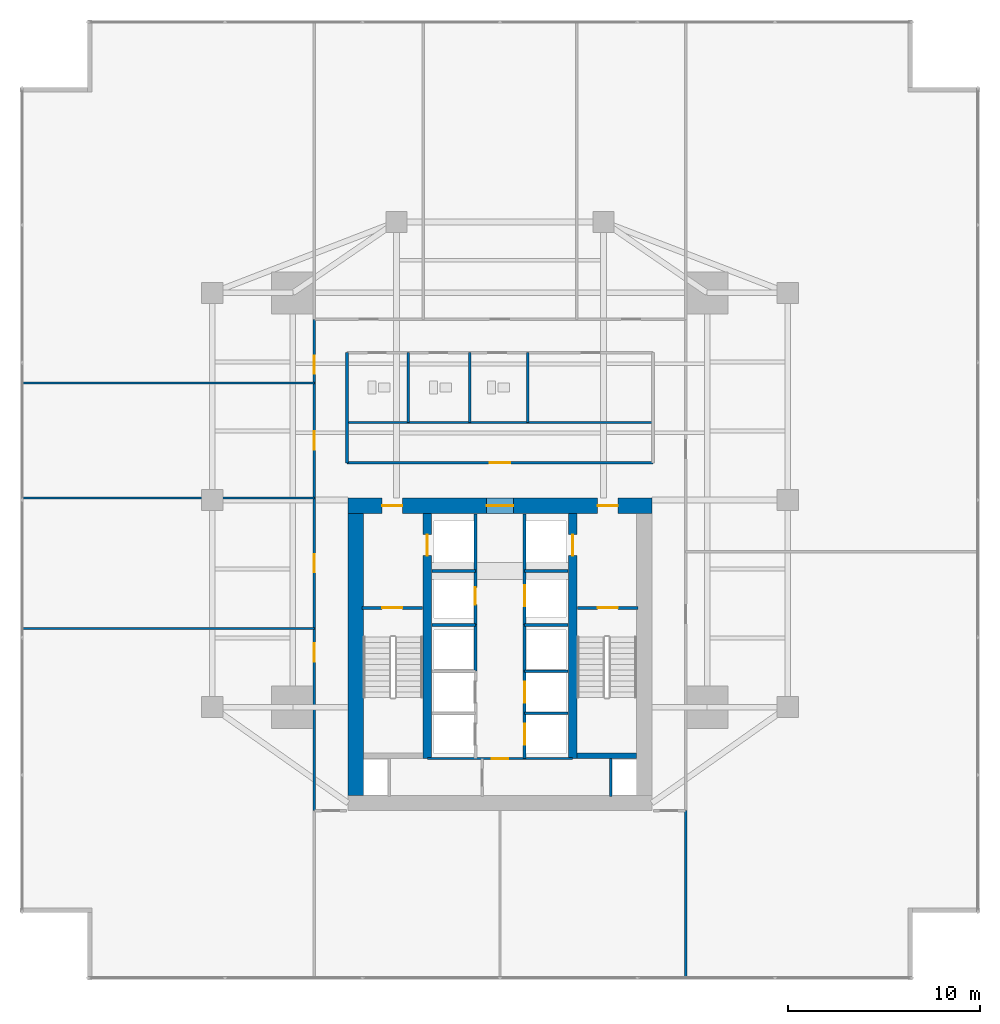
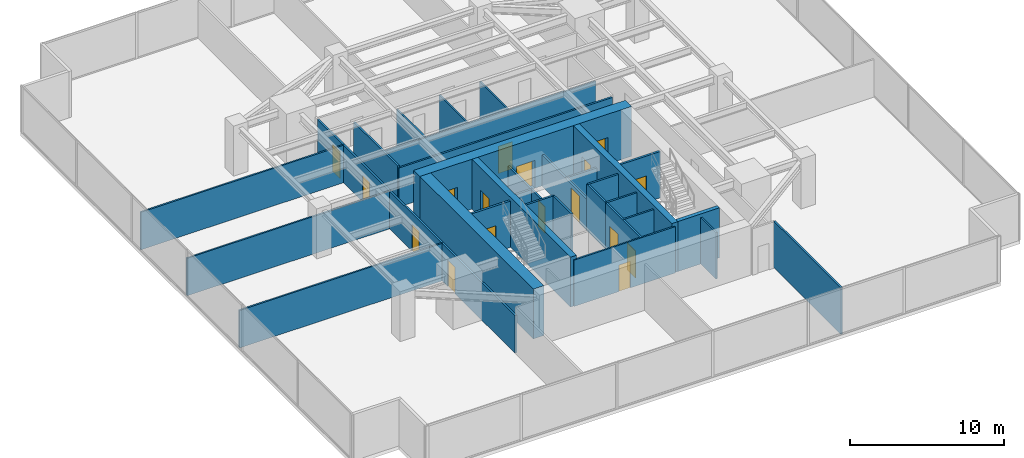
# One storey, part 25 of 28: 31 walls, 17 doors, 17 openings.
"""IFC4 building model written with IfcOpenShell, lengths in metres."""

from ifc_helpers import new_model, si_unit, direction, frame, frame_2d, origin, place, context, subcontext, project, spatial, rectangle, extrude, material, layer, layer_set, type_object, element, fill, save


model = new_model("IFC4")

# Units and contexts
model_context = context("Model", 3, precision=1e-05, world=origin(), true_north=direction((0.0, 1.0)))
body_context = subcontext(model_context, "Body", "Model", "MODEL_VIEW")
ifc_project = project(units=[si_unit("LENGTHUNIT", "METRE"), si_unit("AREAUNIT", "SQUARE_METRE"), si_unit("VOLUMEUNIT", "CUBIC_METRE"), si_unit("PLANEANGLEUNIT", "RADIAN"), si_unit("MASSUNIT", "GRAM", prefix="KILO")], contexts=[model_context])

# Site, building, storey
site_placement = place(None, origin())
site = spatial("IfcSite", under=ifc_project, at=site_placement, CompositionType="ELEMENT")
building_placement = place(site_placement, origin())
building = spatial("IfcBuilding", under=site, at=building_placement, Name="Krantzveldt Concourse Tower", CompositionType="ELEMENT")
storey_placement = place(building_placement, frame((0.0, 0.0, 32.89990234375)))
storey = spatial("IfcBuildingStorey", under=building, at=storey_placement, Name="L07", CompositionType="ELEMENT", Elevation=32.89990234375)

# Wall, opening, door
ifc_material_1 = material(Name="Fire-rated gypsum plasterboard on steel stud", Category="steel")
ifc_layer_1 = layer(ifc_material_1, 0.1201171875, Name="Fire-rated gypsum plasterboard on steel stud", Category="steel")
ifc_layer_set_1 = layer_set([ifc_layer_1], Name="Fire-rated gypsum plasterboard on steel stud (WL-PART-120)")
wall_type_1 = type_object("IfcWallType", Name="WL-PART-120", PredefinedType="PARTITIONING", material=ifc_layer_set_1)
wall_1_placement = place(storey_placement, frame((32.2099609375, 13.219970703125, 0.0), z_axis=(0.0, 0.0, 1.0), x_axis=(1.0, 0.0, 0.0)))
wall_1 = element("IfcWall", 1, at=wall_1_placement, inside=storey, type_object=wall_type_1, Name="WP-L07-CS2H", PredefinedType="PARTITIONING", context=body_context, shape_type="SweptSolid", body=[
    extrude(rectangle(XDim=7.580078125, YDim=0.1201171875, at=frame_2d((3.7900390625, 0.0))), origin(), (0.0, 0.0, 1.0), 3.670166015625),
])
opening_1_placement = place(wall_1_placement, frame((3.364990234375, 0.0, 0.0)))
opening_1 = element("IfcOpeningElement", 2, at=opening_1_placement, cuts=wall_1, Name="Opening D-IN085", PredefinedType="OPENING", context=body_context, shape_type="SweptSolid", body=[
    extrude(rectangle(XDim=0.85009765625, YDim=2.10009765625, at=frame_2d((0.425048828125, 1.050048828125))), frame((0.0, 0.070068359375, 0.0), z_axis=(0.0, -1.0, 0.0), x_axis=(1.0, 0.0, 0.0)), (0.0, 0.0, 1.0), 0.14013671875),
])
ifc_material_2 = material(Name="Hardwood timber", Category="wood")
door_type_1 = type_object("IfcDoorType", Name="DR-INT-850", OperationType="SINGLE_SWING_LEFT", PredefinedType="DOOR", material=ifc_material_2)
door_1_placement = place(opening_1_placement, origin())
door_1 = element("IfcDoor", 3, at=door_1_placement, inside=storey, type_object=door_type_1, Name="DR-L07-LLBS", OperationType="SINGLE_SWING_RIGHT", OverallHeight=2.10009765625, OverallWidth=0.85009765625, PredefinedType="DOOR", context=body_context, shape_type="SweptSolid", body=[
    extrude(rectangle(XDim=0.85009765625, YDim=2.10009765625, at=frame_2d((0.425048828125, 1.050048828125))), frame((0.0, 0.02490234375, 0.0), z_axis=(0.0, -1.0, 0.0), x_axis=(1.0, 0.0, 0.0)), (0.0, 0.0, 1.0), 0.050048828125),
])
fill(opening_1, door_1)

# Walls
wall_2_placement = place(storey_placement, frame((28.02001953125, 30.739990234375, 0.0), z_axis=(0.0, 0.0, 1.0), x_axis=(1.0, 0.0, 0.0)))
element("IfcWall", 4, at=wall_2_placement, inside=storey, type_object=wall_type_1, Name="WP-L07-ISLM", PredefinedType="PARTITIONING", context=body_context, shape_type="SweptSolid", body=[
    extrude(rectangle(XDim=15.9599609375, YDim=0.1201171875, at=frame_2d((7.97998046875, 0.0))), origin(), (0.0, 0.0, 1.0), 3.080078125),
])
for number, where, z_axis, x_axis, name in (
    (5, (31.219970703125, 30.739990234375, 0.0), (0.0, 0.0, 1.0), (0.0, 1.0, 0.0), "WP-L07-WCD1"),
    (6, (34.419921875, 30.739990234375, 0.0), (0.0, 0.0, 1.0), (0.0, 1.0, 0.0), "WP-L07-WCD2"),
    (7, (37.449951171875, 30.739990234375, 0.0), (0.0, 0.0, 1.0), (0.0, 1.0, 0.0), "WP-L07-WCD3"),
):
    element("IfcWall", number, at=place(storey_placement, frame(where, z_axis=z_axis, x_axis=x_axis)), inside=storey, type_object=wall_type_1, Name=name, PredefinedType="PARTITIONING", context=body_context, shape_type="SweptSolid", body=[
        extrude(rectangle(XDim=3.639892578125, YDim=0.1201171875, at=frame_2d((1.81982421875, 0.0))), origin(), (0.0, 0.0, 1.0), 3.1201171875),
    ])
for number, where, z_axis, x_axis, name in (
    (8, (11.090087890625, 20.0, 0.0), (0.0, 0.0, 1.0), (1.0, 0.0, 0.0), "WP-L07-WD1"),
    (9, (11.090087890625, 26.800048828125, 0.0), (0.0, 0.0, 1.0), (1.0, 0.0, 0.0), "WP-L07-WD2"),
    (10, (11.090087890625, 32.800048828125, 0.0), (0.0, 0.0, 1.0), (1.0, 0.0, 0.0), "WP-L07-WD3"),
):
    element("IfcWall", number, at=place(storey_placement, frame(where, z_axis=z_axis, x_axis=x_axis)), inside=storey, type_object=wall_type_1, Name=name, PredefinedType="PARTITIONING", context=body_context, shape_type="SweptSolid", body=[
        extrude(rectangle(XDim=15.22998046875, YDim=0.1201171875, at=frame_2d((7.614990234375, 0.0))), origin(), (0.0, 0.0, 1.0), 2.97021484375),
    ])

# Wall, opening, door
ifc_layer_2 = layer(ifc_material_1, 0.139892578125, Name="Fire-rated gypsum plasterboard on steel stud", Category="steel")
ifc_layer_set_2 = layer_set([ifc_layer_2], Name="Fire-rated gypsum plasterboard on steel stud (WL-PART-140)")
wall_type_2 = type_object("IfcWallType", Name="WL-PART-140", PredefinedType="PARTITIONING", material=ifc_layer_set_2)
wall_3_placement = place(storey_placement, frame((28.02001953125, 28.639892578125, 0.0), z_axis=(0.0, 0.0, 1.0), x_axis=(1.0, 0.0, 0.0)))
wall_3 = element("IfcWall", 11, at=wall_3_placement, inside=storey, type_object=wall_type_2, Name="WP-L07-ISLS", PredefinedType="PARTITIONING", context=body_context, shape_type="SweptSolid", body=[
    extrude(rectangle(XDim=15.9599609375, YDim=0.139892578125, at=frame_2d((7.97998046875, 0.0))), origin(), (0.0, 0.0, 1.0), 3.080078125),
])
opening_2_placement = place(wall_3_placement, frame((7.455078125, 0.0, 0.0)))
opening_2 = element("IfcOpeningElement", 12, at=opening_2_placement, cuts=wall_3, Name="Opening D-IN105", PredefinedType="OPENING", context=body_context, shape_type="SweptSolid", body=[
    extrude(rectangle(XDim=1.050048828125, YDim=2.14990234375, at=frame_2d((0.52490234375, 1.074951171875))), frame((0.0, 0.080078125, 0.0), z_axis=(0.0, -1.0, 0.0), x_axis=(1.0, 0.0, 0.0)), (0.0, 0.0, 1.0), 0.159912109375),
])
door_type_2 = type_object("IfcDoorType", Name="DR-INT-1050", OperationType="SINGLE_SWING_LEFT", PredefinedType="DOOR", material=ifc_material_2)
door_2_placement = place(opening_2_placement, origin())
door_2 = element("IfcDoor", 13, at=door_2_placement, inside=storey, type_object=door_type_2, Name="DR-L07-MIDB", OperationType="SINGLE_SWING_LEFT", OverallHeight=2.14990234375, OverallWidth=1.050048828125, PredefinedType="DOOR", context=body_context, shape_type="SweptSolid", body=[
    extrude(rectangle(XDim=1.050048828125, YDim=2.14990234375, at=frame_2d((0.52490234375, 1.074951171875))), frame((0.0, 0.02490234375, 0.0), z_axis=(0.0, -1.0, 0.0), x_axis=(1.0, 0.0, 0.0)), (0.0, 0.0, 1.0), 0.050048828125),
])
fill(opening_2, door_2)

# Wall
wall_4_placement = place(storey_placement, frame((28.02001953125, 28.639892578125, 0.0), z_axis=(0.0, 0.0, 1.0), x_axis=(0.0, 1.0, 0.0)))
element("IfcWall", 14, at=wall_4_placement, inside=storey, type_object=wall_type_2, Name="WP-L07-ISLW", PredefinedType="PARTITIONING", context=body_context, shape_type="SweptSolid", body=[
    extrude(rectangle(XDim=5.739990234375, YDim=0.139892578125, at=frame_2d((2.8701171875, 0.0))), origin(), (0.0, 0.0, 1.0), 3.22021484375),
])

# Wall, openings, doors
wall_5_placement = place(storey_placement, frame((26.320068359375, 10.5, 0.0), z_axis=(0.0, 0.0, 1.0), x_axis=(0.0, 1.0, 0.0)))
wall_5 = element("IfcWall", 15, at=wall_5_placement, inside=storey, type_object=wall_type_2, Name="WP-L07-CWEST", PredefinedType="PARTITIONING", context=body_context, shape_type="SweptSolid", body=[
    extrude(rectangle(XDim=25.6201171875, YDim=0.139892578125, at=frame_2d((12.81005859375, 0.0))), origin(), (0.0, 0.0, 1.0), 2.97021484375),
])
opening_3_placement = place(wall_5_placement, frame((7.77490234375, 0.0, 0.0)))
opening_3 = element("IfcOpeningElement", 16, at=opening_3_placement, cuts=wall_5, Name="Opening D-IN095", PredefinedType="OPENING", context=body_context, shape_type="SweptSolid", body=[
    extrude(rectangle(XDim=0.949951171875, YDim=2.10009765625, at=frame_2d((0.47509765625, 1.050048828125))), frame((0.0, 0.080078125, 0.0), z_axis=(0.0, -1.0, 0.0), x_axis=(1.0, 0.0, 0.0)), (0.0, 0.0, 1.0), 0.159912109375),
])
opening_4_placement = place(wall_5_placement, frame((12.425048828125, 0.0, 0.0)))
opening_4 = element("IfcOpeningElement", 17, at=opening_4_placement, cuts=wall_5, Name="Opening D-IN095", PredefinedType="OPENING", context=body_context, shape_type="SweptSolid", body=[
    extrude(rectangle(XDim=0.949951171875, YDim=2.10009765625, at=frame_2d((0.47509765625, 1.050048828125))), frame((0.0, 0.080078125, 0.0), z_axis=(0.0, -1.0, 0.0), x_axis=(1.0, 0.0, 0.0)), (0.0, 0.0, 1.0), 0.159912109375),
])
opening_5_placement = place(wall_5_placement, frame((18.824951171875, 0.0, 0.0)))
opening_5 = element("IfcOpeningElement", 18, at=opening_5_placement, cuts=wall_5, Name="Opening D-IN095", PredefinedType="OPENING", context=body_context, shape_type="SweptSolid", body=[
    extrude(rectangle(XDim=0.949951171875, YDim=2.10009765625, at=frame_2d((0.47509765625, 1.050048828125))), frame((0.0, 0.080078125, 0.0), z_axis=(0.0, -1.0, 0.0), x_axis=(1.0, 0.0, 0.0)), (0.0, 0.0, 1.0), 0.159912109375),
])
opening_6_placement = place(wall_5_placement, frame((22.77490234375, 0.0, 0.0)))
opening_6 = element("IfcOpeningElement", 19, at=opening_6_placement, cuts=wall_5, Name="Opening D-IN095", PredefinedType="OPENING", context=body_context, shape_type="SweptSolid", body=[
    extrude(rectangle(XDim=0.949951171875, YDim=2.10009765625, at=frame_2d((0.47509765625, 1.050048828125))), frame((0.0, 0.080078125, 0.0), z_axis=(0.0, -1.0, 0.0), x_axis=(1.0, 0.0, 0.0)), (0.0, 0.0, 1.0), 0.159912109375),
])
door_type_3 = type_object("IfcDoorType", Name="DR-INT-950", OperationType="SINGLE_SWING_LEFT", PredefinedType="DOOR", material=ifc_material_2)
door_3_placement = place(opening_3_placement, origin())
door_3 = element("IfcDoor", 20, at=door_3_placement, inside=storey, type_object=door_type_3, Name="DR-L07-WR1", OperationType="SINGLE_SWING_LEFT", OverallHeight=2.10009765625, OverallWidth=0.949951171875, PredefinedType="DOOR", context=body_context, shape_type="SweptSolid", body=[
    extrude(rectangle(XDim=0.949951171875, YDim=2.10009765625, at=frame_2d((0.47509765625, 1.050048828125))), frame((0.0, 0.02490234375, 0.0), z_axis=(0.0, -1.0, 0.0), x_axis=(1.0, 0.0, 0.0)), (0.0, 0.0, 1.0), 0.050048828125),
])
fill(opening_3, door_3)
door_4_placement = place(opening_4_placement, origin())
door_4 = element("IfcDoor", 21, at=door_4_placement, inside=storey, type_object=door_type_3, Name="DR-L07-WR2", OperationType="SINGLE_SWING_LEFT", OverallHeight=2.10009765625, OverallWidth=0.949951171875, PredefinedType="DOOR", context=body_context, shape_type="SweptSolid", body=[
    extrude(rectangle(XDim=0.949951171875, YDim=2.10009765625, at=frame_2d((0.47509765625, 1.050048828125))), frame((0.0, 0.02490234375, 0.0), z_axis=(0.0, -1.0, 0.0), x_axis=(1.0, 0.0, 0.0)), (0.0, 0.0, 1.0), 0.050048828125),
])
fill(opening_4, door_4)
door_5_placement = place(opening_5_placement, origin())
door_5 = element("IfcDoor", 22, at=door_5_placement, inside=storey, type_object=door_type_3, Name="DR-L07-WR3", OperationType="SINGLE_SWING_LEFT", OverallHeight=2.10009765625, OverallWidth=0.949951171875, PredefinedType="DOOR", context=body_context, shape_type="SweptSolid", body=[
    extrude(rectangle(XDim=0.949951171875, YDim=2.10009765625, at=frame_2d((0.47509765625, 1.050048828125))), frame((0.0, 0.02490234375, 0.0), z_axis=(0.0, -1.0, 0.0), x_axis=(1.0, 0.0, 0.0)), (0.0, 0.0, 1.0), 0.050048828125),
])
fill(opening_5, door_5)
door_6_placement = place(opening_6_placement, origin())
door_6 = element("IfcDoor", 23, at=door_6_placement, inside=storey, type_object=door_type_3, Name="DR-L07-WR4", OperationType="SINGLE_SWING_LEFT", OverallHeight=2.10009765625, OverallWidth=0.949951171875, PredefinedType="DOOR", context=body_context, shape_type="SweptSolid", body=[
    extrude(rectangle(XDim=0.949951171875, YDim=2.10009765625, at=frame_2d((0.47509765625, 1.050048828125))), frame((0.0, 0.02490234375, 0.0), z_axis=(0.0, -1.0, 0.0), x_axis=(1.0, 0.0, 0.0)), (0.0, 0.0, 1.0), 0.050048828125),
])
fill(opening_6, door_6)

# Wall
wall_6_placement = place(storey_placement, frame((45.679931640625, 1.7900390625, 0.0), z_axis=(0.0, 0.0, 1.0), x_axis=(0.0, 1.0, 0.0)))
element("IfcWall", 24, at=wall_6_placement, inside=storey, type_object=wall_type_2, Name="WP-L07-SER", PredefinedType="PARTITIONING", context=body_context, shape_type="SweptSolid", body=[
    extrude(rectangle(XDim=8.7099609375, YDim=0.139892578125, at=frame_2d((4.35498046875, 0.0))), origin(), (0.0, 0.0, 1.0), 3.670166015625),
])

# Wall, opening, door
ifc_layer_3 = layer(ifc_material_1, 0.139892578125, Name="Fire-rated gypsum plasterboard on steel stud", Category="steel")
ifc_layer_set_3 = layer_set([ifc_layer_3], Name="Fire-rated gypsum plasterboard on steel stud (WL-PART-FR140)")
wall_type_3 = type_object("IfcWallType", Name="WL-PART-FR140", PredefinedType="PARTITIONING", material=ifc_layer_set_3)
wall_7_placement = place(storey_placement, frame((34.719970703125, 20.199951171875, 0.0), z_axis=(0.0, 0.0, 1.0), x_axis=(0.0, 1.0, 0.0)))
wall_7 = element("IfcWall", 25, at=wall_7_placement, inside=storey, type_object=wall_type_3, Name="WP-L07-SHNW", PredefinedType="PARTITIONING", context=body_context, shape_type="SweptSolid", body=[
    extrude(rectangle(XDim=5.780029296875, YDim=0.139892578125, at=frame_2d((2.89013671875, 0.0))), origin(), (0.0, 0.0, 1.0), 2.47021484375),
])
opening_7_placement = place(wall_7_placement, frame((1.050048828125, 0.0, 0.0)))
opening_7 = element("IfcOpeningElement", 26, at=opening_7_placement, cuts=wall_7, Name="Opening D-FD090", PredefinedType="OPENING", context=body_context, shape_type="SweptSolid", body=[
    extrude(rectangle(XDim=0.89990234375, YDim=2.10009765625, at=frame_2d((0.449951171875, 1.050048828125))), frame((0.0, 0.080078125, 0.0), z_axis=(0.0, -1.0, 0.0), x_axis=(1.0, 0.0, 0.0)), (0.0, 0.0, 1.0), 0.159912109375),
])
door_type_4 = type_object("IfcDoorType", Name="DR-FD60-900", OperationType="SINGLE_SWING_LEFT", PredefinedType="DOOR", material=ifc_material_2)
door_7_placement = place(opening_7_placement, origin())
door_7 = element("IfcDoor", 27, at=door_7_placement, inside=storey, type_object=door_type_4, Name="Electrical Riser Access Door L07", OperationType="SINGLE_SWING_LEFT", OverallHeight=2.10009765625, OverallWidth=0.89990234375, PredefinedType="DOOR", context=body_context, shape_type="SweptSolid", body=[
    extrude(rectangle(XDim=0.89990234375, YDim=2.10009765625, at=frame_2d((0.449951171875, 1.050048828125))), frame((0.0, 0.02490234375, 0.0), z_axis=(0.0, -1.0, 0.0), x_axis=(1.0, 0.0, 0.0)), (0.0, 0.0, 1.0), 0.050048828125),
])
fill(opening_7, door_7)

wall_8_placement = place(storey_placement, frame((37.280029296875, 20.199951171875, 0.0), z_axis=(0.0, 0.0, 1.0), x_axis=(0.0, 1.0, 0.0)))
wall_8 = element("IfcWall", 28, at=wall_8_placement, inside=storey, type_object=wall_type_3, Name="WP-L07-SHNE", PredefinedType="PARTITIONING", context=body_context, shape_type="SweptSolid", body=[
    extrude(rectangle(XDim=5.780029296875, YDim=0.139892578125, at=frame_2d((2.89013671875, 0.0))), origin(), (0.0, 0.0, 1.0), 2.47021484375),
])
opening_8_placement = place(wall_8_placement, frame((0.949951171875, 0.0, 0.0)))
opening_8 = element("IfcOpeningElement", 29, at=opening_8_placement, cuts=wall_8, Name="Opening LD", PredefinedType="OPENING", context=body_context, shape_type="SweptSolid", body=[
    extrude(rectangle(XDim=1.10009765625, YDim=2.14990234375, at=frame_2d((0.550048828125, 1.074951171875))), frame((0.0, 0.080078125, 0.0), z_axis=(0.0, -1.0, 0.0), x_axis=(1.0, 0.0, 0.0)), (0.0, 0.0, 1.0), 0.159912109375),
])
ifc_material_3 = material(Name="Stainless steel 316L", Category="steel")
door_type_5 = type_object("IfcDoorType", Name="DR-SLIDE-LD1100", OperationType="DOUBLE_DOOR_SLIDING", PredefinedType="DOOR", material=ifc_material_3)
door_8_placement = place(opening_8_placement, origin())
door_8 = element("IfcDoor", 30, at=door_8_placement, inside=storey, type_object=door_type_5, Name="LD-L07-GL1", OperationType="DOUBLE_DOOR_SLIDING", OverallHeight=2.14990234375, OverallWidth=1.10009765625, PredefinedType="DOOR", context=body_context, shape_type="SweptSolid", body=[
    extrude(rectangle(XDim=1.10009765625, YDim=2.14990234375, at=frame_2d((0.550048828125, 1.074951171875))), frame((0.0, 0.02490234375, 0.0), z_axis=(0.0, -1.0, 0.0), x_axis=(1.0, 0.0, 0.0)), (0.0, 0.0, 1.0), 0.050048828125),
])
fill(opening_8, door_8)

# Walls
for number, where, z_axis, x_axis, name in (
    (31, (32.449951171875, 23.0, 0.0), (0.0, 0.0, 1.0), (1.0, 0.0, 0.0), "WP-L07-RISH"),
    (32, (37.280029296875, 23.0, 0.0), (0.0, 0.0, 1.0), (1.0, 0.0, 0.0), "WP-L07-GLH"),
):
    element("IfcWall", number, at=place(storey_placement, frame(where, z_axis=z_axis, x_axis=x_axis)), inside=storey, type_object=wall_type_3, Name=name, PredefinedType="PARTITIONING", context=body_context, shape_type="SweptSolid", body=[
        extrude(rectangle(XDim=2.27001953125, YDim=0.139892578125, at=frame_2d((1.135009765625, 0.0))), origin(), (0.0, 0.0, 1.0), 2.47021484375),
    ])
for number, where, z_axis, x_axis, name in (
    (33, (34.719970703125, 17.780029296875, 0.0), (0.0, 0.0, 1.0), (0.0, 1.0, 0.0), "WP-L07-SHNW2"),
    (34, (37.280029296875, 17.780029296875, 0.0), (0.0, 0.0, 1.0), (0.0, 1.0, 0.0), "WP-L07-SHNE2"),
):
    element("IfcWall", number, at=place(storey_placement, frame(where, z_axis=z_axis, x_axis=x_axis)), inside=storey, type_object=wall_type_3, Name=name, PredefinedType="PARTITIONING", context=body_context, shape_type="SweptSolid", body=[
        extrude(rectangle(XDim=2.419921875, YDim=0.139892578125, at=frame_2d((1.2099609375, 0.0))), origin(), (0.0, 0.0, 1.0), 3.670166015625),
    ])
for number, where, z_axis, x_axis, name in (
    (35, (32.449951171875, 20.179931640625, 0.0), (0.0, 0.0, 1.0), (1.0, 0.0, 0.0), "WP-L07-DIVW3"),
    (36, (37.280029296875, 17.780029296875, 0.0), (0.0, 0.0, 1.0), (1.0, 0.0, 0.0), "WP-L07-DIVE2"),
    (37, (37.280029296875, 20.179931640625, 0.0), (0.0, 0.0, 1.0), (1.0, 0.0, 0.0), "WP-L07-DIVE3"),
):
    element("IfcWall", number, at=place(storey_placement, frame(where, z_axis=z_axis, x_axis=x_axis)), inside=storey, type_object=wall_type_3, Name=name, PredefinedType="PARTITIONING", context=body_context, shape_type="SweptSolid", body=[
        extrude(rectangle(XDim=2.27001953125, YDim=0.139892578125, at=frame_2d((1.135009765625, 0.0))), origin(), (0.0, 0.0, 1.0), 3.670166015625),
    ])

# Wall, openings, doors
wall_9_placement = place(storey_placement, frame((37.280029296875, 13.219970703125, 0.0), z_axis=(0.0, 0.0, 1.0), x_axis=(0.0, 1.0, 0.0)))
wall_9 = element("IfcWall", 38, at=wall_9_placement, inside=storey, type_object=wall_type_3, Name="WP-L07-SHSE", PredefinedType="PARTITIONING", context=body_context, shape_type="SweptSolid", body=[
    extrude(rectangle(XDim=4.56005859375, YDim=0.139892578125, at=frame_2d((2.280029296875, 0.0))), origin(), (0.0, 0.0, 1.0), 3.670166015625),
])
opening_9_placement = place(wall_9_placement, frame((0.7099609375, 0.0, 0.0)))
opening_9 = element("IfcOpeningElement", 39, at=opening_9_placement, cuts=wall_9, Name="Opening LD", PredefinedType="OPENING", context=body_context, shape_type="SweptSolid", body=[
    extrude(rectangle(XDim=1.10009765625, YDim=2.14990234375, at=frame_2d((0.550048828125, 1.074951171875))), frame((0.0, 0.080078125, 0.0), z_axis=(0.0, -1.0, 0.0), x_axis=(1.0, 0.0, 0.0)), (0.0, 0.0, 1.0), 0.159912109375),
])
opening_10_placement = place(wall_9_placement, frame((2.909912109375, 0.0, 0.0)))
opening_10 = element("IfcOpeningElement", 40, at=opening_10_placement, cuts=wall_9, Name="Opening LD", PredefinedType="OPENING", context=body_context, shape_type="SweptSolid", body=[
    extrude(rectangle(XDim=1.10009765625, YDim=2.14990234375, at=frame_2d((0.550048828125, 1.074951171875))), frame((0.0, 0.080078125, 0.0), z_axis=(0.0, -1.0, 0.0), x_axis=(1.0, 0.0, 0.0)), (0.0, 0.0, 1.0), 0.159912109375),
])
door_9_placement = place(opening_9_placement, origin())
door_9 = element("IfcDoor", 41, at=door_9_placement, inside=storey, type_object=door_type_5, Name="LD-L07-PM1", OperationType="DOUBLE_DOOR_SLIDING", OverallHeight=2.14990234375, OverallWidth=1.10009765625, PredefinedType="DOOR", context=body_context, shape_type="SweptSolid", body=[
    extrude(rectangle(XDim=1.10009765625, YDim=2.14990234375, at=frame_2d((0.550048828125, 1.074951171875))), frame((0.0, 0.02490234375, 0.0), z_axis=(0.0, -1.0, 0.0), x_axis=(1.0, 0.0, 0.0)), (0.0, 0.0, 1.0), 0.050048828125),
])
fill(opening_9, door_9)
door_10_placement = place(opening_10_placement, origin())
door_10 = element("IfcDoor", 42, at=door_10_placement, inside=storey, type_object=door_type_5, Name="LD-L07-PM2", OperationType="DOUBLE_DOOR_SLIDING", OverallHeight=2.14990234375, OverallWidth=1.10009765625, PredefinedType="DOOR", context=body_context, shape_type="SweptSolid", body=[
    extrude(rectangle(XDim=1.10009765625, YDim=2.14990234375, at=frame_2d((0.550048828125, 1.074951171875))), frame((0.0, 0.02490234375, 0.0), z_axis=(0.0, -1.0, 0.0), x_axis=(1.0, 0.0, 0.0)), (0.0, 0.0, 1.0), 0.050048828125),
])
fill(opening_10, door_10)

# Walls
wall_10_placement = place(storey_placement, frame((37.280029296875, 15.580078125, 0.0), z_axis=(0.0, 0.0, 1.0), x_axis=(1.0, 0.0, 0.0)))
element("IfcWall", 43, at=wall_10_placement, inside=storey, type_object=wall_type_3, Name="WP-L07-DIVE1", PredefinedType="PARTITIONING", context=body_context, shape_type="SweptSolid", body=[
    extrude(rectangle(XDim=2.27001953125, YDim=0.139892578125, at=frame_2d((1.135009765625, 0.0))), origin(), (0.0, 0.0, 1.0), 3.670166015625),
])
wall_11_placement = place(storey_placement, frame((41.780029296875, 11.25, 0.0), z_axis=(0.0, 0.0, 1.0), x_axis=(0.0, 1.0, 0.0)))
element("IfcWall", 44, at=wall_11_placement, inside=storey, type_object=wall_type_3, Name="WP-L07-RSE", PredefinedType="PARTITIONING", context=body_context, shape_type="SweptSolid", body=[
    extrude(rectangle(XDim=1.969970703125, YDim=0.1201171875, at=frame_2d((0.98486328125, 0.0))), origin(), (0.0, 0.0, 1.0), 3.670166015625),
])

# Wall, opening, door
ifc_layer_4 = layer(ifc_material_1, 0.159912109375, Name="Fire-rated gypsum plasterboard on steel stud", Category="steel")
ifc_layer_set_4 = layer_set([ifc_layer_4], Name="Fire-rated gypsum plasterboard on steel stud (WL-PART-FR160)")
wall_type_4 = type_object("IfcWallType", Name="WL-PART-FR160", PredefinedType="PARTITIONING", material=ifc_layer_set_4)
wall_12_placement = place(storey_placement, frame((28.800048828125, 21.080078125, 0.0), z_axis=(0.0, 0.0, 1.0), x_axis=(1.0, 0.0, 0.0)))
wall_12 = element("IfcWall", 45, at=wall_12_placement, inside=storey, type_object=wall_type_4, Name="WP-L07-ST1", PredefinedType="PARTITIONING", context=body_context, shape_type="SweptSolid", body=[
    extrude(rectangle(XDim=3.159912109375, YDim=0.159912109375, at=frame_2d((1.580078125, 0.0))), origin(), (0.0, 0.0, 1.0), 3.670166015625),
])
opening_11_placement = place(wall_12_placement, frame((1.054931640625, 0.0, 0.0)))
opening_11 = element("IfcOpeningElement", 46, at=opening_11_placement, cuts=wall_12, Name="Opening D-FD105", PredefinedType="OPENING", context=body_context, shape_type="SweptSolid", body=[
    extrude(rectangle(XDim=1.050048828125, YDim=2.10009765625, at=frame_2d((0.52490234375, 1.050048828125))), frame((0.0, 0.08984375, 0.0), z_axis=(0.0, -1.0, 0.0), x_axis=(1.0, 0.0, 0.0)), (0.0, 0.0, 1.0), 0.179931640625),
])
ifc_material_4 = material(Name="Galvanised steel", Category="steel")
door_type_6 = type_object("IfcDoorType", Name="DR-FD120-1050", OperationType="SINGLE_SWING_LEFT", PredefinedType="DOOR", material=ifc_material_4)
door_11_placement = place(opening_11_placement, origin())
door_11 = element("IfcDoor", 47, at=door_11_placement, inside=storey, type_object=door_type_6, Name="DR-L07-ST1", OperationType="SINGLE_SWING_RIGHT", OverallHeight=2.10009765625, OverallWidth=1.050048828125, PredefinedType="DOOR", context=body_context, shape_type="SweptSolid", body=[
    extrude(rectangle(XDim=1.050048828125, YDim=2.10009765625, at=frame_2d((0.52490234375, 1.050048828125))), frame((0.0, 0.02490234375, 0.0), z_axis=(0.0, -1.0, 0.0), x_axis=(1.0, 0.0, 0.0)), (0.0, 0.0, 1.0), 0.050048828125),
])
fill(opening_11, door_11)

wall_13_placement = place(storey_placement, frame((40.0400390625, 21.080078125, 0.0), z_axis=(0.0, 0.0, 1.0), x_axis=(1.0, 0.0, 0.0)))
wall_13 = element("IfcWall", 48, at=wall_13_placement, inside=storey, type_object=wall_type_4, Name="WP-L07-ST2", PredefinedType="PARTITIONING", context=body_context, shape_type="SweptSolid", body=[
    extrude(rectangle(XDim=3.159912109375, YDim=0.159912109375, at=frame_2d((1.580078125, 0.0))), origin(), (0.0, 0.0, 1.0), 3.670166015625),
])
opening_12_placement = place(wall_13_placement, frame((1.054931640625, 0.0, 0.0)))
opening_12 = element("IfcOpeningElement", 49, at=opening_12_placement, cuts=wall_13, Name="Opening D-FD105", PredefinedType="OPENING", context=body_context, shape_type="SweptSolid", body=[
    extrude(rectangle(XDim=1.050048828125, YDim=2.10009765625, at=frame_2d((0.52490234375, 1.050048828125))), frame((0.0, 0.08984375, 0.0), z_axis=(0.0, -1.0, 0.0), x_axis=(1.0, 0.0, 0.0)), (0.0, 0.0, 1.0), 0.179931640625),
])
door_12_placement = place(opening_12_placement, origin())
door_12 = element("IfcDoor", 50, at=door_12_placement, inside=storey, type_object=door_type_6, Name="DR-L07-ST2", OperationType="SINGLE_SWING_LEFT", OverallHeight=2.10009765625, OverallWidth=1.050048828125, PredefinedType="DOOR", context=body_context, shape_type="SweptSolid", body=[
    extrude(rectangle(XDim=1.050048828125, YDim=2.10009765625, at=frame_2d((0.52490234375, 1.050048828125))), frame((0.0, 0.02490234375, 0.0), z_axis=(0.0, -1.0, 0.0), x_axis=(1.0, 0.0, 0.0)), (0.0, 0.0, 1.0), 0.050048828125),
])
fill(opening_12, door_12)

# Wall
ifc_material_5 = material(Name="Concrete C50/60", Category="concrete")
ifc_layer_5 = layer(ifc_material_5, 0.300048828125, Name="Concrete C50/60", Category="concrete")
ifc_layer_set_5 = layer_set([ifc_layer_5], Name="Concrete C50/60 (WL-SHEAR-300)")
wall_type_5 = type_object("IfcWallType", Name="WL-SHEAR-300", PredefinedType="SHEAR", material=ifc_layer_set_5)
wall_14_placement = place(storey_placement, frame((40.02001953125, 13.3701171875, 0.0), z_axis=(0.0, 0.0, 1.0), x_axis=(1.0, 0.0, 0.0)))
element("IfcWall", 51, at=wall_14_placement, inside=storey, type_object=wall_type_5, Name="CW-L07-ST2S", PredefinedType="SHEAR", context=body_context, shape_type="SweptSolid", body=[
    extrude(rectangle(XDim=3.10009765625, YDim=0.300048828125, at=frame_2d((1.550048828125, 0.0))), origin(), (0.0, 0.0, 1.0), 3.9501953125),
])

# Wall, opening, door
ifc_layer_6 = layer(ifc_material_5, 0.449951171875, Name="Concrete C50/60", Category="concrete")
ifc_layer_set_6 = layer_set([ifc_layer_6], Name="Concrete C50/60 (WL-SHEAR-450)")
wall_type_6 = type_object("IfcWallType", Name="WL-SHEAR-450", PredefinedType="SHEAR", material=ifc_layer_set_6)
wall_15_placement = place(storey_placement, frame((32.205078125, 13.219970703125, 0.0), z_axis=(0.0, 0.0, 1.0), x_axis=(0.0, 1.0, 0.0)))
wall_15 = element("IfcWall", 52, at=wall_15_placement, inside=storey, type_object=wall_type_6, Name="CW-L07-IW", PredefinedType="SHEAR", context=body_context, shape_type="SweptSolid", body=[
    extrude(rectangle(XDim=12.780029296875, YDim=0.449951171875, at=frame_2d((6.39013671875, 0.0))), origin(), (0.0, 0.0, 1.0), 3.9501953125),
])
opening_13_placement = place(wall_15_placement, frame((10.580078125, 0.0, 0.0)))
opening_13 = element("IfcOpeningElement", 53, at=opening_13_placement, cuts=wall_15, Name="Opening LD", PredefinedType="OPENING", context=body_context, shape_type="SweptSolid", body=[
    extrude(rectangle(XDim=1.10009765625, YDim=2.14990234375, at=frame_2d((0.550048828125, 1.074951171875))), frame((0.0, 0.23486328125, 0.0), z_axis=(0.0, -1.0, 0.0), x_axis=(1.0, 0.0, 0.0)), (0.0, 0.0, 1.0), 0.469970703125),
])
door_13_placement = place(opening_13_placement, origin())
door_13 = element("IfcDoor", 54, at=door_13_placement, inside=storey, type_object=door_type_5, Name="LD-L07-FL1", OperationType="DOUBLE_DOOR_SLIDING", OverallHeight=2.14990234375, OverallWidth=1.10009765625, PredefinedType="DOOR", context=body_context, shape_type="SweptSolid", body=[
    extrude(rectangle(XDim=1.10009765625, YDim=2.14990234375, at=frame_2d((0.550048828125, 1.074951171875))), frame((0.0, 0.02490234375, 0.0), z_axis=(0.0, -1.0, 0.0), x_axis=(1.0, 0.0, 0.0)), (0.0, 0.0, 1.0), 0.050048828125),
])
fill(opening_13, door_13)

wall_16_placement = place(storey_placement, frame((39.794921875, 13.219970703125, 0.0), z_axis=(0.0, 0.0, 1.0), x_axis=(0.0, 1.0, 0.0)))
wall_16 = element("IfcWall", 55, at=wall_16_placement, inside=storey, type_object=wall_type_6, Name="CW-L07-IE", PredefinedType="SHEAR", context=body_context, shape_type="SweptSolid", body=[
    extrude(rectangle(XDim=12.780029296875, YDim=0.449951171875, at=frame_2d((6.39013671875, 0.0))), origin(), (0.0, 0.0, 1.0), 3.9501953125),
])
opening_14_placement = place(wall_16_placement, frame((10.580078125, 0.0, 0.0)))
opening_14 = element("IfcOpeningElement", 56, at=opening_14_placement, cuts=wall_16, Name="Opening LD", PredefinedType="OPENING", context=body_context, shape_type="SweptSolid", body=[
    extrude(rectangle(XDim=1.10009765625, YDim=2.14990234375, at=frame_2d((0.550048828125, 1.074951171875))), frame((0.0, 0.23486328125, 0.0), z_axis=(0.0, -1.0, 0.0), x_axis=(1.0, 0.0, 0.0)), (0.0, 0.0, 1.0), 0.469970703125),
])
door_14_placement = place(opening_14_placement, origin())
door_14 = element("IfcDoor", 57, at=door_14_placement, inside=storey, type_object=door_type_5, Name="LD-L07-FL2", OperationType="DOUBLE_DOOR_SLIDING", OverallHeight=2.14990234375, OverallWidth=1.10009765625, PredefinedType="DOOR", context=body_context, shape_type="SweptSolid", body=[
    extrude(rectangle(XDim=1.10009765625, YDim=2.14990234375, at=frame_2d((0.550048828125, 1.074951171875))), frame((0.0, 0.02490234375, 0.0), z_axis=(0.0, -1.0, 0.0), x_axis=(1.0, 0.0, 0.0)), (0.0, 0.0, 1.0), 0.050048828125),
])
fill(opening_14, door_14)

# Wall, openings, doors
ifc_material_6 = material(Name="Concrete C60/75", Category="concrete")
ifc_layer_7 = layer(ifc_material_6, 0.800048828125, Name="Concrete C60/75", Category="concrete")
ifc_layer_set_7 = layer_set([ifc_layer_7], Name="Concrete C60/75 (WL-SHEAR-800)")
wall_type_7 = type_object("IfcWallType", Name="WL-SHEAR-800", PredefinedType="SHEAR", material=ifc_layer_set_7)
wall_17_placement = place(storey_placement, frame((28.080078125, 26.39990234375, 0.0), z_axis=(0.0, 0.0, 1.0), x_axis=(1.0, 0.0, 0.0)))
wall_17 = element("IfcWall", 58, at=wall_17_placement, inside=storey, type_object=wall_type_7, Name="CW-L07-N", PredefinedType="SHEAR", context=body_context, shape_type="SweptSolid", body=[
    extrude(rectangle(XDim=15.83984375, YDim=0.800048828125, at=frame_2d((7.919921875, 0.0))), origin(), (0.0, 0.0, 1.0), 3.9501953125),
])
opening_15_placement = place(wall_17_placement, frame((7.219970703125, 0.0, 0.0)))
opening_15 = element("IfcOpeningElement", 59, at=opening_15_placement, cuts=wall_17, Name="Opening D-DB140", PredefinedType="OPENING", context=body_context, shape_type="SweptSolid", body=[
    extrude(rectangle(XDim=1.39990234375, YDim=2.199951171875, at=frame_2d((0.699951171875, 1.10009765625))), frame((0.0, 0.41015625, 0.0), z_axis=(0.0, -1.0, 0.0), x_axis=(1.0, 0.0, 0.0)), (0.0, 0.0, 1.0), 0.820068359375),
])
opening_16_placement = place(wall_17_placement, frame((1.77490234375, 0.0, 0.0)))
opening_16 = element("IfcOpeningElement", 60, at=opening_16_placement, cuts=wall_17, Name="Opening D-FD105", PredefinedType="OPENING", context=body_context, shape_type="SweptSolid", body=[
    extrude(rectangle(XDim=1.050048828125, YDim=2.10009765625, at=frame_2d((0.52490234375, 1.050048828125))), frame((0.0, 0.41015625, 0.0), z_axis=(0.0, -1.0, 0.0), x_axis=(1.0, 0.0, 0.0)), (0.0, 0.0, 1.0), 0.820068359375),
])
opening_17_placement = place(wall_17_placement, frame((13.014892578125, 0.0, 0.0)))
opening_17 = element("IfcOpeningElement", 61, at=opening_17_placement, cuts=wall_17, Name="Opening D-FD105", PredefinedType="OPENING", context=body_context, shape_type="SweptSolid", body=[
    extrude(rectangle(XDim=1.050048828125, YDim=2.10009765625, at=frame_2d((0.52490234375, 1.050048828125))), frame((0.0, 0.41015625, 0.0), z_axis=(0.0, -1.0, 0.0), x_axis=(1.0, 0.0, 0.0)), (0.0, 0.0, 1.0), 0.820068359375),
])
ifc_material_7 = material(Name="Anodised aluminium 6063-T6", Category="aluminium")
door_type_7 = type_object("IfcDoorType", Name="DR-DBL-1400", OperationType="DOUBLE_DOOR_SINGLE_SWING", PredefinedType="DOOR", material=ifc_material_7)
door_15_placement = place(opening_15_placement, origin())
door_15 = element("IfcDoor", 62, at=door_15_placement, inside=storey, type_object=door_type_7, Name="DR-L07-LLB", OperationType="DOUBLE_DOOR_SINGLE_SWING", OverallHeight=2.199951171875, OverallWidth=1.39990234375, PredefinedType="DOOR", context=body_context, shape_type="SweptSolid", body=[
    extrude(rectangle(XDim=1.39990234375, YDim=2.199951171875, at=frame_2d((0.699951171875, 1.10009765625))), frame((0.0, 0.02490234375, 0.0), z_axis=(0.0, -1.0, 0.0), x_axis=(1.0, 0.0, 0.0)), (0.0, 0.0, 1.0), 0.050048828125),
])
fill(opening_15, door_15)
door_16_placement = place(opening_16_placement, origin())
door_16 = element("IfcDoor", 63, at=door_16_placement, inside=storey, type_object=door_type_6, Name="DR-L07-FFL1", OperationType="SINGLE_SWING_LEFT", OverallHeight=2.10009765625, OverallWidth=1.050048828125, PredefinedType="DOOR", context=body_context, shape_type="SweptSolid", body=[
    extrude(rectangle(XDim=1.050048828125, YDim=2.10009765625, at=frame_2d((0.52490234375, 1.050048828125))), frame((0.0, 0.02490234375, 0.0), z_axis=(0.0, -1.0, 0.0), x_axis=(1.0, 0.0, 0.0)), (0.0, 0.0, 1.0), 0.050048828125),
])
fill(opening_16, door_16)
door_17_placement = place(opening_17_placement, origin())
door_17 = element("IfcDoor", 64, at=door_17_placement, inside=storey, type_object=door_type_6, Name="DR-L07-FFL2", OperationType="SINGLE_SWING_RIGHT", OverallHeight=2.10009765625, OverallWidth=1.050048828125, PredefinedType="DOOR", context=body_context, shape_type="SweptSolid", body=[
    extrude(rectangle(XDim=1.050048828125, YDim=2.10009765625, at=frame_2d((0.52490234375, 1.050048828125))), frame((0.0, 0.02490234375, 0.0), z_axis=(0.0, -1.0, 0.0), x_axis=(1.0, 0.0, 0.0)), (0.0, 0.0, 1.0), 0.050048828125),
])
fill(opening_17, door_17)

# Wall
wall_18_placement = place(storey_placement, frame((28.47998046875, 11.300048828125, 0.0), z_axis=(0.0, 0.0, 1.0), x_axis=(0.0, 1.0, 0.0)))
element("IfcWall", 65, at=wall_18_placement, inside=storey, type_object=wall_type_7, Name="CW-L07-W", PredefinedType="SHEAR", context=body_context, shape_type="SweptSolid", body=[
    extrude(rectangle(XDim=14.699951171875, YDim=0.800048828125, at=frame_2d((7.35009765625, 0.0))), origin(), (0.0, 0.0, 1.0), 3.9501953125),
])

save(model, "model.ifc")
